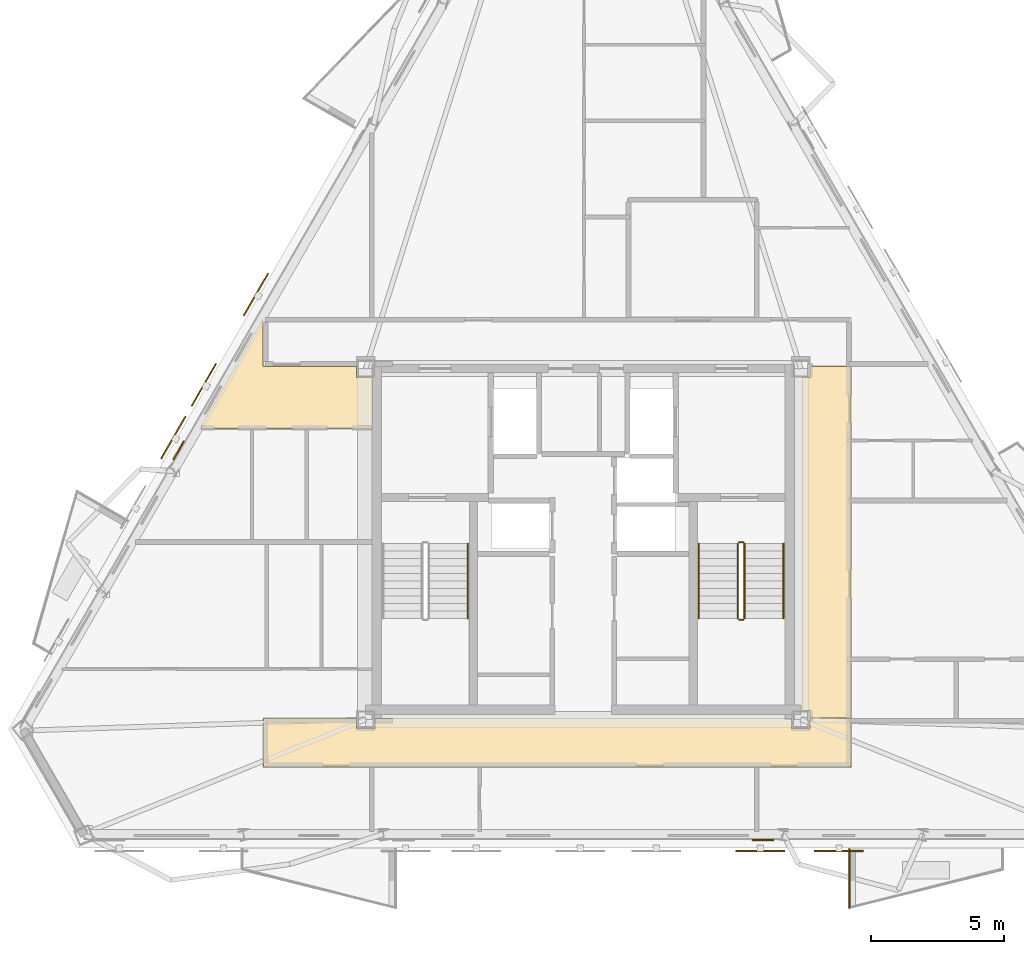
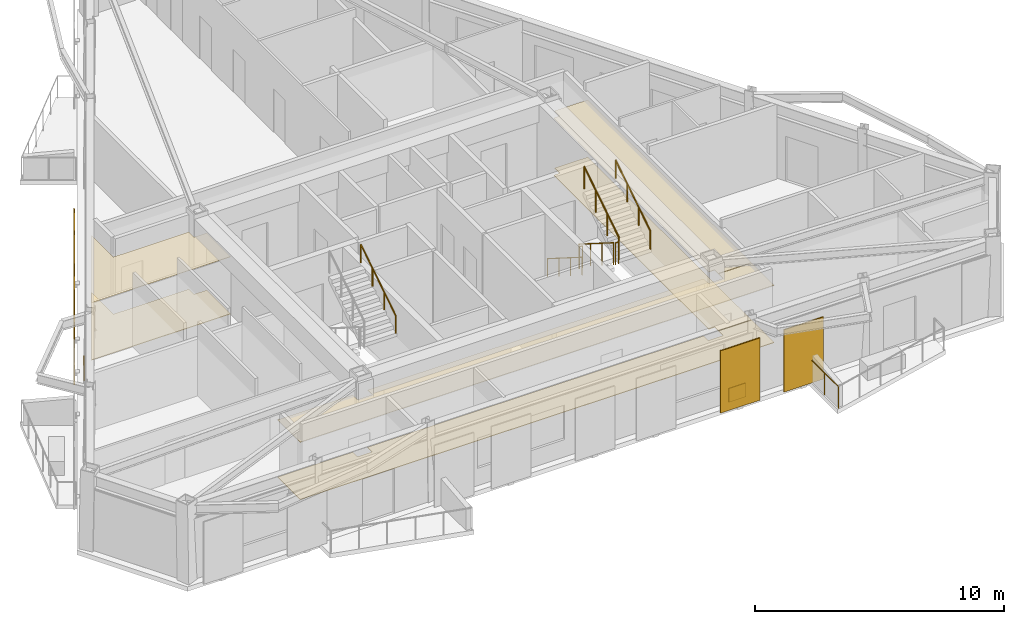
# One storey, part 8 of 9: 8 coverings, 8 railings, 5 shading devices.
"""IFC4 building model written with IfcOpenShell, lengths in metres."""

from ifc_helpers import new_model, si_unit, direction, frame, origin, origin_2d, place, context, subcontext, project, spatial, polyline, rectangle, circle, outline, extrude, material, layer, layer_set, type_object, element, save


model = new_model("IFC4")

# Units and contexts
model_context = context("Model", 3, precision=1e-05, world=origin(), true_north=direction((0.0, 1.0)))
body_context = subcontext(model_context, "Body", "Model", "MODEL_VIEW")
ifc_project = project(units=[si_unit("LENGTHUNIT", "METRE"), si_unit("AREAUNIT", "SQUARE_METRE"), si_unit("VOLUMEUNIT", "CUBIC_METRE"), si_unit("PLANEANGLEUNIT", "RADIAN"), si_unit("MASSUNIT", "GRAM", prefix="KILO")], contexts=[model_context])

# Site, building, storey
site_placement = place(None, origin())
site = spatial("IfcSite", under=ifc_project, at=site_placement, CompositionType="ELEMENT")
building_placement = place(site_placement, origin())
building = spatial("IfcBuilding", under=site, at=building_placement, Name="Oramaril Tower", CompositionType="ELEMENT")
storey_placement = place(building_placement, frame((0.0, 0.0, 277.199951171875)))
storey = spatial("IfcBuildingStorey", under=building, at=storey_placement, Name="L73", CompositionType="ELEMENT", Elevation=277.199951171875)

# Coverings
ifc_material_1 = material(Name="Mineral Fibre Acoustic Ceiling")
ifc_layer_1 = layer(ifc_material_1, 0.02001953125)
ifc_layer_set_1 = layer_set([ifc_layer_1], Name="CVT-CEIL")
covering_type_1 = type_object("IfcCoveringType", Name="CVT-CEIL", PredefinedType="CEILING", material=ifc_layer_set_1)
covering_1_placement = place(storey_placement, frame((0.0, 0.0, 2.81201171875)))
element("IfcCovering", 1, at=covering_1_placement, inside=storey, type_object=covering_type_1, Name="L73 Acoustic Suspended Ceiling 1", PredefinedType="CEILING", context=body_context, shape_type="SweptSolid", body=[
    extrude(outline(polyline([(29.0048828125, 10.655029296875), (29.695068359375, 10.655029296875), (29.695068359375, 11.030029296875), (45.304931640625, 11.030029296875), (45.304931640625, 10.655029296875), (45.9951171875, 10.655029296875), (45.9951171875, 11.030029296875), (47.530029296875, 11.030029296875), (47.530029296875, 9.219970703125), (25.52001953125, 9.219970703125), (25.52001953125, 11.030029296875), (29.0048828125, 11.030029296875), (29.0048828125, 10.655029296875)])), origin(), (0.0, 0.0, 1.0), 0.02001953125),
])
covering_2_placement = place(storey_placement, frame((0.0, 0.0, 2.81201171875)))
element("IfcCovering", 2, at=covering_2_placement, inside=storey, type_object=covering_type_1, Name="L73 Acoustic Suspended Ceiling 3", PredefinedType="CEILING", context=body_context, shape_type="SweptSolid", body=[
    extrude(outline(polyline([(47.530029296875, 11.050048828125), (45.9951171875, 11.050048828125), (45.9951171875, 11.344970703125), (45.719970703125, 11.344970703125), (45.719970703125, 23.804931640625), (45.9951171875, 23.804931640625), (45.9951171875, 24.219970703125), (47.530029296875, 24.219970703125), (47.530029296875, 11.050048828125)])), origin(), (0.0, 0.0, 1.0), 0.02001953125),
])
covering_3_placement = place(storey_placement, frame((0.0, 0.0, 2.81201171875)))
element("IfcCovering", 3, at=covering_3_placement, inside=storey, type_object=covering_type_1, Name="L73 Acoustic Suspended Ceiling 14", PredefinedType="CEILING", context=body_context, shape_type="SweptSolid", body=[
    extrude(outline(polyline([(29.0048828125, 23.804931640625), (29.60009765625, 23.804931640625), (29.60009765625, 21.887939453125), (23.1298828125, 21.887939453125), (25.5, 25.9931640625), (25.5, 24.239990234375), (25.5, 24.238037109375), (25.50048828125, 24.236083984375), (25.5009765625, 24.234130859375), (25.50146484375, 24.232421875), (25.50244140625, 24.230712890625), (25.50341796875, 24.22900390625), (25.50439453125, 24.227294921875), (25.505859375, 24.225830078125), (25.50732421875, 24.224609375), (25.5087890625, 24.223388671875), (25.510498046875, 24.222412109375), (25.51220703125, 24.221435546875), (25.51416015625, 24.220947265625), (25.51611328125, 24.220458984375), (25.51806640625, 24.22021484375), (25.52001953125, 24.219970703125), (29.0048828125, 24.219970703125), (29.0048828125, 23.804931640625)])), origin(), (0.0, 0.0, 1.0), 0.02001953125),
])
ifc_material_2 = material(Name="Warm Cream Limestone", Category="masonry")
ifc_layer_2 = layer(ifc_material_2, 0.050048828125)
ifc_layer_set_2 = layer_set([ifc_layer_2], Name="CVT-CLD")
covering_type_2 = type_object("IfcCoveringType", Name="CVT-CLD", PredefinedType="CLADDING", material=ifc_layer_set_2)
for number, where, z_axis, x_axis, name in (
    (4, (44.22998046875, 6.485107421875, 0.0400390625), (0.0, 0.0, 1.0), (1.0, 0.0, 0.0), "L73 Warm Cream Limestone Spandrel Cladding"),
    (5, (22.34423828125, 21.0791015625, 0.0400390625), (0.0, 0.0, 1.0), (-0.4999984885, -0.866026276448, 0.0), "L73 Warm Cream Limestone Spandrel Cladding"),
):
    element("IfcCovering", number, at=place(storey_placement, frame(where, z_axis=z_axis, x_axis=x_axis)), inside=storey, type_object=covering_type_2, Name=name, PredefinedType="CLADDING", context=body_context, shape_type="SweptSolid", body=[
        extrude(rectangle(XDim=0.800048828125, YDim=0.050048828125, at=origin_2d()), origin(), (0.0, 0.0, 1.0), 0.679931640625),
    ])
ifc_material_3 = material(Name="Honed Quartzite Stone Flooring", Category="masonry")
ifc_layer_3 = layer(ifc_material_3, 0.02490234375)
ifc_layer_set_3 = layer_set([ifc_layer_3], Name="CVT-FLR")
covering_type_3 = type_object("IfcCoveringType", Name="CVT-FLR", PredefinedType="FLOORING", material=ifc_layer_set_3)
covering_4_placement = place(storey_placement, origin())
element("IfcCovering", 6, at=covering_4_placement, inside=storey, type_object=covering_type_3, Name="L73 Honed Stone Floor Finish 1", PredefinedType="FLOORING", context=body_context, shape_type="SweptSolid", body=[
    extrude(outline(polyline([(29.0048828125, 10.655029296875), (29.695068359375, 10.655029296875), (29.695068359375, 11.030029296875), (45.304931640625, 11.030029296875), (45.304931640625, 10.655029296875), (45.9951171875, 10.655029296875), (45.9951171875, 11.030029296875), (47.530029296875, 11.030029296875), (47.530029296875, 9.219970703125), (25.52001953125, 9.219970703125), (25.52001953125, 11.030029296875), (29.0048828125, 11.030029296875), (29.0048828125, 10.655029296875)])), origin(), (0.0, 0.0, 1.0), 0.025146484375),
])
covering_5_placement = place(storey_placement, origin())
element("IfcCovering", 7, at=covering_5_placement, inside=storey, type_object=covering_type_3, Name="L73 Honed Stone Floor Finish 3", PredefinedType="FLOORING", context=body_context, shape_type="SweptSolid", body=[
    extrude(outline(polyline([(47.530029296875, 11.050048828125), (45.9951171875, 11.050048828125), (45.9951171875, 11.344970703125), (45.719970703125, 11.344970703125), (45.719970703125, 23.804931640625), (45.9951171875, 23.804931640625), (45.9951171875, 24.219970703125), (47.530029296875, 24.219970703125), (47.530029296875, 11.050048828125)])), origin(), (0.0, 0.0, 1.0), 0.025146484375),
])
covering_6_placement = place(storey_placement, origin())
element("IfcCovering", 8, at=covering_6_placement, inside=storey, type_object=covering_type_3, Name="L73 Honed Stone Floor Finish 14", PredefinedType="FLOORING", context=body_context, shape_type="SweptSolid", body=[
    extrude(outline(polyline([(29.0048828125, 23.804931640625), (29.60009765625, 23.804931640625), (29.60009765625, 21.887939453125), (23.1298828125, 21.887939453125), (25.5, 25.9931640625), (25.5, 24.239990234375), (25.5, 24.238037109375), (25.50048828125, 24.236083984375), (25.5009765625, 24.234130859375), (25.50146484375, 24.232421875), (25.50244140625, 24.230712890625), (25.50341796875, 24.22900390625), (25.50439453125, 24.227294921875), (25.505859375, 24.225830078125), (25.50732421875, 24.224609375), (25.5087890625, 24.223388671875), (25.510498046875, 24.222412109375), (25.51220703125, 24.221435546875), (25.51416015625, 24.220947265625), (25.51611328125, 24.220458984375), (25.51806640625, 24.22021484375), (25.52001953125, 24.219970703125), (29.0048828125, 24.219970703125), (29.0048828125, 23.804931640625)])), origin(), (0.0, 0.0, 1.0), 0.025146484375),
])

# Railings
ifc_material_4 = material(Name="Stainless Steel 316L", Category="steel")
railing_type_1 = type_object("IfcRailingType", Name="RLT-GRD", PredefinedType="GUARDRAIL", material=ifc_material_4)
railing_1_placement = place(storey_placement, frame((47.47021484375, 3.953125, 0.0)))
element("IfcRailing", 9, at=railing_1_placement, inside=storey, type_object=railing_type_1, Name="L73 Balcony Guardrail L73-BAL-S2.3", PredefinedType="GUARDRAIL", context=body_context, shape_type="SweptSolid", body=[
    extrude(circle(Radius=0.02392578125, at=origin_2d()), frame((0.0, 0.0, 1.076171875), z_axis=(0.0, 1.0, 0.0), x_axis=(-1.0, 0.0, 0.0)), (0.0, 0.0, 1.0), 2.19189453125),
    extrude(circle(Radius=0.02099609375, at=origin_2d()), origin(), (0.0, 0.0, 1.0), 1.052001953125),
    extrude(circle(Radius=0.02099609375, at=origin_2d()), frame((0.0, 1.095947265625, 0.0)), (0.0, 0.0, 1.0), 1.052001953125),
    extrude(circle(Radius=0.02099609375, at=origin_2d()), frame((0.0, 2.19189453125, 0.0)), (0.0, 0.0, 1.0), 1.052001953125),
])
railing_2_placement = place(storey_placement, frame((43.2900390625, 17.590087890625, 0.17724609375)))
element("IfcRailing", 10, at=railing_2_placement, inside=storey, type_object=railing_type_1, Name="L73 ST-2 stair guard 1", PredefinedType="GUARDRAIL", context=body_context, shape_type="SweptSolid", body=[
    extrude(circle(Radius=0.02392578125, at=origin_2d()), frame((0.0, 0.0, 1.076171875), z_axis=(0.0, -0.844908973607, 0.534910110503), x_axis=(1.0, 0.0, 0.0)), (0.0, 0.0, 1.0), 3.31396484375),
    extrude(circle(Radius=0.02099609375, at=origin_2d()), origin(), (0.0, 0.0, 1.0), 1.052001953125),
    extrude(circle(Radius=0.02099609375, at=origin_2d()), frame((0.0, -0.933349609375, 0.5908203125)), (0.0, 0.0, 1.0), 1.052001953125),
    extrude(circle(Radius=0.02099609375, at=origin_2d()), frame((0.0, -1.86669921875, 1.181884765625)), (0.0, 0.0, 1.0), 1.052001953125),
    extrude(circle(Radius=0.02099609375, at=origin_2d()), frame((0.0, -2.800048828125, 1.772705078125)), (0.0, 0.0, 1.0), 1.052001953125),
])
railing_3_placement = place(storey_placement, frame((43.340087890625, 14.739990234375, 1.949951171875)))
element("IfcRailing", 11, at=railing_3_placement, inside=storey, type_object=railing_type_1, Name="L73 ST-2 stair guard 2", PredefinedType="GUARDRAIL", context=body_context, shape_type="SweptSolid", body=[
    extrude(circle(Radius=0.02392578125, at=origin_2d()), frame((0.0, 0.0, 1.076171875), z_axis=(1.0, 0.0, 0.0), x_axis=(0.0, 1.0, 0.0)), (0.0, 0.0, 1.0), 0.14990234375),
    extrude(circle(Radius=0.02099609375, at=origin_2d()), origin(), (0.0, 0.0, 1.0), 1.052001953125),
    extrude(circle(Radius=0.02099609375, at=origin_2d()), frame((0.14990234375, 0.0, 0.0)), (0.0, 0.0, 1.0), 1.052001953125),
])
railing_4_placement = place(storey_placement, frame((43.5400390625, 14.7900390625, 2.12744140625)))
element("IfcRailing", 12, at=railing_4_placement, inside=storey, type_object=railing_type_1, Name="L73 ST-2 stair guard 3", PredefinedType="GUARDRAIL", context=body_context, shape_type="SweptSolid", body=[
    extrude(circle(Radius=0.02392578125, at=origin_2d()), frame((0.0, 0.0, 1.076171875), z_axis=(0.0, 0.844908973607, 0.534910110503), x_axis=(-1.0, 0.0, 0.0)), (0.0, 0.0, 1.0), 3.31396484375),
    extrude(circle(Radius=0.02099609375, at=origin_2d()), origin(), (0.0, 0.0, 1.0), 1.052001953125),
    extrude(circle(Radius=0.02099609375, at=origin_2d()), frame((0.0, 0.933349609375, 0.5908203125)), (0.0, 0.0, 1.0), 1.052001953125),
    extrude(circle(Radius=0.02099609375, at=origin_2d()), frame((0.0, 1.86669921875, 1.181884765625)), (0.0, 0.0, 1.0), 1.052001953125),
    extrude(circle(Radius=0.02099609375, at=origin_2d()), frame((0.0, 2.800048828125, 1.772705078125)), (0.0, 0.0, 1.0), 1.052001953125),
])
railing_5_placement = place(storey_placement, frame((43.340087890625, 17.639892578125, 0.0)))
element("IfcRailing", 13, at=railing_5_placement, inside=storey, type_object=railing_type_1, Name="L73 ST-2 stair guard 4", PredefinedType="GUARDRAIL", context=body_context, shape_type="SweptSolid", body=[
    extrude(circle(Radius=0.02392578125, at=origin_2d()), frame((0.0, 0.0, 1.076171875), z_axis=(1.0, 0.0, 0.0), x_axis=(0.0, 1.0, 0.0)), (0.0, 0.0, 1.0), 0.14990234375),
    extrude(circle(Radius=0.02099609375, at=origin_2d()), origin(), (0.0, 0.0, 1.0), 1.052001953125),
    extrude(circle(Radius=0.02099609375, at=origin_2d()), frame((0.14990234375, 0.0, 0.0)), (0.0, 0.0, 1.0), 1.052001953125),
])
ifc_material_5 = material(Name="Stainless Steel 316L", Category="steel")
railing_type_2 = type_object("IfcRailingType", Name="RLT-HND", PredefinedType="HANDRAIL", material=ifc_material_5)
railing_6_placement = place(storey_placement, frame((33.169921875, 14.7900390625, 2.12744140625)))
element("IfcRailing", 14, at=railing_6_placement, inside=storey, type_object=railing_type_2, Name="L73 ST-1 stair handrail 2", PredefinedType="HANDRAIL", context=body_context, shape_type="SweptSolid", body=[
    extrude(circle(Radius=0.02392578125, at=origin_2d()), frame((0.0, 0.0, 0.8759765625), z_axis=(0.0, 0.844908973607, 0.534910110503), x_axis=(-1.0, 0.0, 0.0)), (0.0, 0.0, 1.0), 3.31396484375),
    extrude(circle(Radius=0.02099609375, at=origin_2d()), origin(), (0.0, 0.0, 1.0), 0.851806640625),
    extrude(circle(Radius=0.02099609375, at=origin_2d()), frame((0.0, 0.933349609375, 0.5908203125)), (0.0, 0.0, 1.0), 0.851806640625),
    extrude(circle(Radius=0.02099609375, at=origin_2d()), frame((0.0, 1.86669921875, 1.181884765625)), (0.0, 0.0, 1.0), 0.851806640625),
    extrude(circle(Radius=0.02099609375, at=origin_2d()), frame((0.0, 2.800048828125, 1.772705078125)), (0.0, 0.0, 1.0), 0.851806640625),
])
railing_7_placement = place(storey_placement, frame((41.830078125, 17.590087890625, 0.17724609375)))
element("IfcRailing", 15, at=railing_7_placement, inside=storey, type_object=railing_type_2, Name="L73 ST-2 stair handrail 1", PredefinedType="HANDRAIL", context=body_context, shape_type="SweptSolid", body=[
    extrude(circle(Radius=0.02392578125, at=origin_2d()), frame((0.0, 0.0, 0.8759765625), z_axis=(0.0, -0.844908973607, 0.534910110503), x_axis=(1.0, 0.0, 0.0)), (0.0, 0.0, 1.0), 3.31396484375),
    extrude(circle(Radius=0.02099609375, at=origin_2d()), origin(), (0.0, 0.0, 1.0), 0.851806640625),
    extrude(circle(Radius=0.02099609375, at=origin_2d()), frame((0.0, -0.933349609375, 0.5908203125)), (0.0, 0.0, 1.0), 0.851806640625),
    extrude(circle(Radius=0.02099609375, at=origin_2d()), frame((0.0, -1.86669921875, 1.181884765625)), (0.0, 0.0, 1.0), 0.851806640625),
    extrude(circle(Radius=0.02099609375, at=origin_2d()), frame((0.0, -2.800048828125, 1.772705078125)), (0.0, 0.0, 1.0), 0.851806640625),
])
railing_8_placement = place(storey_placement, frame((45.0, 14.7900390625, 2.12744140625)))
element("IfcRailing", 16, at=railing_8_placement, inside=storey, type_object=railing_type_2, Name="L73 ST-2 stair handrail 2", PredefinedType="HANDRAIL", context=body_context, shape_type="SweptSolid", body=[
    extrude(circle(Radius=0.02392578125, at=origin_2d()), frame((0.0, 0.0, 0.8759765625), z_axis=(0.0, 0.844908973607, 0.534910110503), x_axis=(-1.0, 0.0, 0.0)), (0.0, 0.0, 1.0), 3.31396484375),
    extrude(circle(Radius=0.02099609375, at=origin_2d()), origin(), (0.0, 0.0, 1.0), 0.851806640625),
    extrude(circle(Radius=0.02099609375, at=origin_2d()), frame((0.0, 0.933349609375, 0.5908203125)), (0.0, 0.0, 1.0), 0.851806640625),
    extrude(circle(Radius=0.02099609375, at=origin_2d()), frame((0.0, 1.86669921875, 1.181884765625)), (0.0, 0.0, 1.0), 0.851806640625),
    extrude(circle(Radius=0.02099609375, at=origin_2d()), frame((0.0, 2.800048828125, 1.772705078125)), (0.0, 0.0, 1.0), 0.851806640625),
])

# Shading devices
for number, where, z_axis, x_axis, name in (
    (17, (44.130615234375, 6.072998046875, -0.02001953125), (0.0, 0.0, 1.0), (1.0, 0.0, 0.0), "L73 Perforated Ceramic Solar Screen"),
    (18, (47.078125, 6.072998046875, -0.02001953125), (0.0, 0.0, 1.0), (1.0, 0.0, 0.0), "L73 Perforated Ceramic Solar Screen"),
    (19, (25.239501953125, 26.917724609375, -0.02001953125), (0.0, 0.0, 1.0), (-0.4999984885, -0.866026276448, 0.0), "L73 Perforated Ceramic Solar Screen"),
    (20, (23.28955078125, 23.540283203125, -0.02001953125), (0.0, 0.0, 1.0), (-0.4999984885, -0.866026276448, 0.0), "L73 Perforated Ceramic Solar Screen"),
    (21, (22.147216796875, 21.561767578125, -0.02001953125), (0.0, 0.0, 1.0), (-0.4999984885, -0.866026276448, 0.0), "L73 Perforated Ceramic Solar Screen"),
):
    element("IfcShadingDevice", number, at=place(storey_placement, frame(where, z_axis=z_axis, x_axis=x_axis)), inside=storey, Name=name, ObjectType="SCREEN", PredefinedType="USERDEFINED", context=body_context, shape_type="SweptSolid", body=[
        extrude(rectangle(XDim=1.8330078125, YDim=0.050048828125, at=origin_2d()), origin(), (0.0, 0.0, 1.0), 3.05810546875),
    ])

save(model, "model.ifc")
